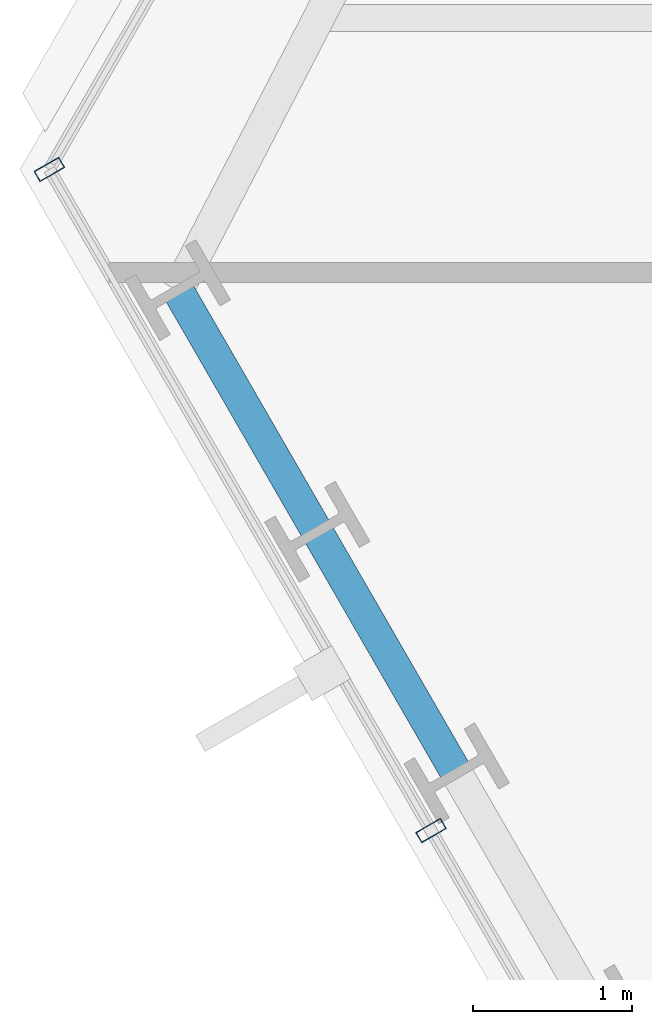
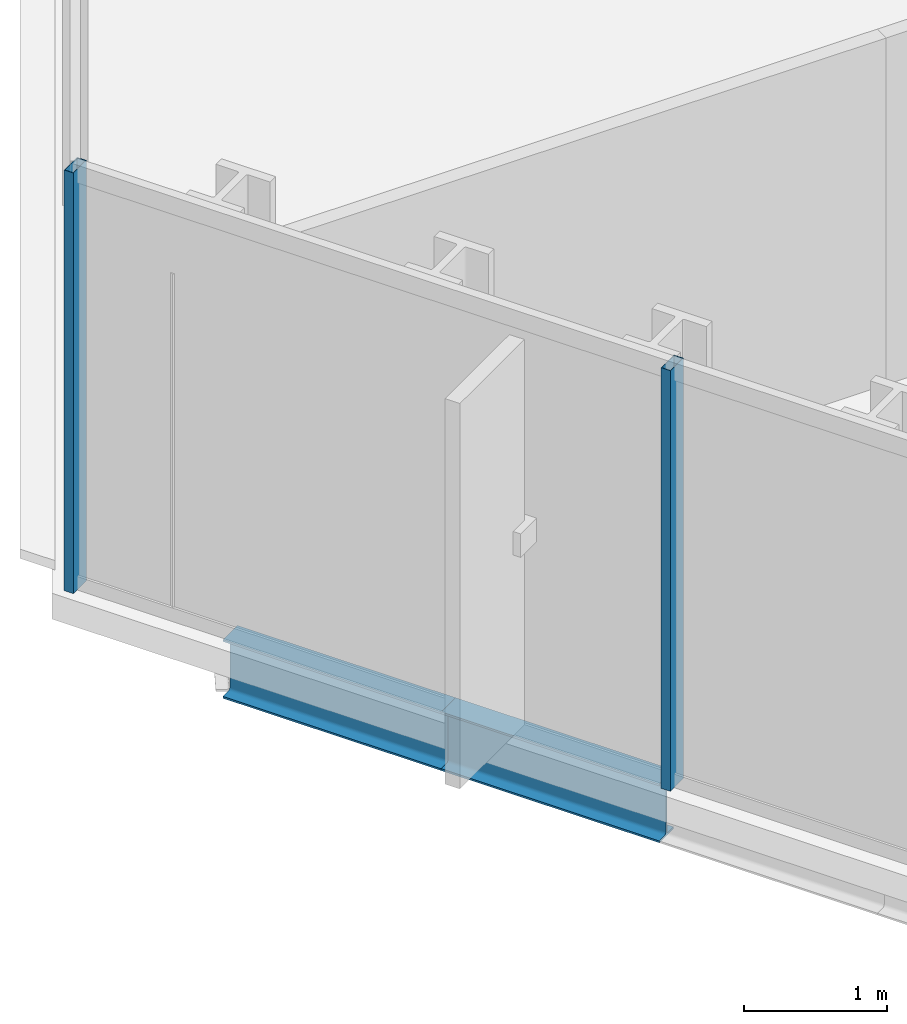
# One storey, part 5 of 33: 2 beams, 2 members, 1 element without a shape of its own.
"""IFC4 building model written with IfcOpenShell, lengths in metres."""

from ifc_helpers import new_model, si_unit, direction, frame, origin, origin_2d, place, context, subcontext, project, spatial, hollow_rectangle, i_section, extrude, material, layer, layer_set, material_profile, profile_set, type_object, element, aggregate, save


model = new_model("IFC4")

# Units and contexts
model_context = context("Model", 3, precision=1e-05, world=origin(), true_north=direction((0.0, 1.0)))
body_context = subcontext(model_context, "Body", "Model", "MODEL_VIEW")
ifc_project = project(units=[si_unit("LENGTHUNIT", "METRE"), si_unit("AREAUNIT", "SQUARE_METRE"), si_unit("VOLUMEUNIT", "CUBIC_METRE"), si_unit("PLANEANGLEUNIT", "RADIAN"), si_unit("MASSUNIT", "GRAM", prefix="KILO")], contexts=[model_context])

# Site, building, storey
site_placement = place(None, origin())
site = spatial("IfcSite", under=ifc_project, at=site_placement, CompositionType="ELEMENT")
building_placement = place(site_placement, origin())
building = spatial("IfcBuilding", under=site, at=building_placement, Name="Ndaravel Arena Tower", CompositionType="ELEMENT")
storey_placement = place(building_placement, frame((0.0, 0.0, 81.60009765625)))
storey = spatial("IfcBuildingStorey", under=building, at=storey_placement, Name="L18", CompositionType="ELEMENT", Elevation=81.60009765625)

# Beams
ifc_material_1 = material(Name="Steel S355", Category="steel")
ifc_material_profile_1 = material_profile(ifc_material_1, i_section(OverallWidth=0.199951171875, OverallDepth=0.5, WebThickness=0.01025390625, FlangeThickness=0.01611328125, FilletRadius=0.02099609375, at=origin_2d()), Name="IPE 500")
ifc_profile_set_1 = profile_set([ifc_material_profile_1], Name="Steel S355")
beam_type = type_object("IfcBeamType", Name="BM-SPAN-IPE500", PredefinedType="SPANDREL", material=ifc_profile_set_1)
beam_1_placement = place(storey_placement, frame((19.289794921875, 16.887451171875, -0.47021484375), z_axis=(0.500011241135, -0.866018913615, 0.0), x_axis=(0.866018913615, 0.500011241135, 0.0)))
element("IfcBeam", 1, at=beam_1_placement, inside=storey, type_object=beam_type, Name="L18 Perimeter Spandrel Beam SP-20", PredefinedType="SPANDREL", context=body_context, shape_type="SweptSolid", body=[
    extrude(i_section(OverallWidth=0.199951171875, OverallDepth=0.5, WebThickness=0.01025390625, FlangeThickness=0.01611328125, FilletRadius=0.02099609375, at=origin_2d()), origin(), (0.0, 0.0, 1.0), 1.75634765625),
])
beam_2_placement = place(storey_placement, frame((20.16796875, 15.366455078125, -0.47021484375), z_axis=(0.49990697594, -0.86607910459, 0.0), x_axis=(0.86607910459, 0.49990697594, 0.0)))
element("IfcBeam", 2, at=beam_2_placement, inside=storey, type_object=beam_type, Name="L18 Perimeter Spandrel Beam SP-21", PredefinedType="SPANDREL", context=body_context, shape_type="SweptSolid", body=[
    extrude(i_section(OverallWidth=0.199951171875, OverallDepth=0.5, WebThickness=0.01025390625, FlangeThickness=0.01611328125, FilletRadius=0.02099609375, at=origin_2d()), origin(), (0.0, 0.0, 1.0), 1.756103515625),
])

# Curtain wall, members
ifc_material_2 = material(Name="Aluminium", Category="aluminium")
ifc_layer = layer(ifc_material_2, 0.179931640625)
ifc_layer_set = layer_set([ifc_layer], Name="Aluminium")
curtain_wall_type = type_object("IfcCurtainWallType", Name="CW-SYS-02", PredefinedType="NOTDEFINED", material=ifc_layer_set)
curtain_wall_placement = place(storey_placement, origin())
curtain_wall = element("IfcCurtainWall", 3, at=curtain_wall_placement, inside=storey, type_object=curtain_wall_type, Name="L18 Faceted Crystal Curtain Wall CW-L18-E06", PredefinedType="NOTDEFINED")
ifc_material_3 = material(Name="Aluminium", Category="aluminium")
ifc_material_profile_2 = material_profile(ifc_material_3, hollow_rectangle(XDim=0.074951171875, YDim=0.179931640625, WallThickness=0.00390625, at=origin_2d()), Name="CW MULLION 75x180x4")
ifc_profile_set_2 = profile_set([ifc_material_profile_2], Name="Aluminium")
member_type = type_object("IfcMemberType", Name="MEM-CW-MUL180", PredefinedType="MULLION", material=ifc_profile_set_2)
member_1_placement = place(storey_placement, frame((18.481201171875, 17.64794921875, 0.0), z_axis=(0.0, 0.0, 1.0), x_axis=(0.5, -0.866025403784, 0.0)))
member_1 = element("IfcMember", 4, at=member_1_placement, type_object=member_type, Name="CW-L18-E06 Mullion 00", PredefinedType="MULLION", context=body_context, shape_type="SweptSolid", body=[
    extrude(hollow_rectangle(XDim=0.074951171875, YDim=0.179931640625, WallThickness=0.00390625, at=origin_2d()), origin(), (0.0, 0.0, 1.0), 3.579833984375),
])
member_2_placement = place(storey_placement, frame((20.884521484375, 13.4853515625, 0.0), z_axis=(0.0, 0.0, 1.0), x_axis=(0.5, -0.866025403784, 0.0)))
member_2 = element("IfcMember", 5, at=member_2_placement, type_object=member_type, Name="CW-L18-E06 Mullion 01", PredefinedType="MULLION", context=body_context, shape_type="SweptSolid", body=[
    extrude(hollow_rectangle(XDim=0.074951171875, YDim=0.179931640625, WallThickness=0.00390625, at=origin_2d()), origin(), (0.0, 0.0, 1.0), 3.579833984375),
])
aggregate(curtain_wall, [member_1, member_2])

save(model, "model.ifc")
